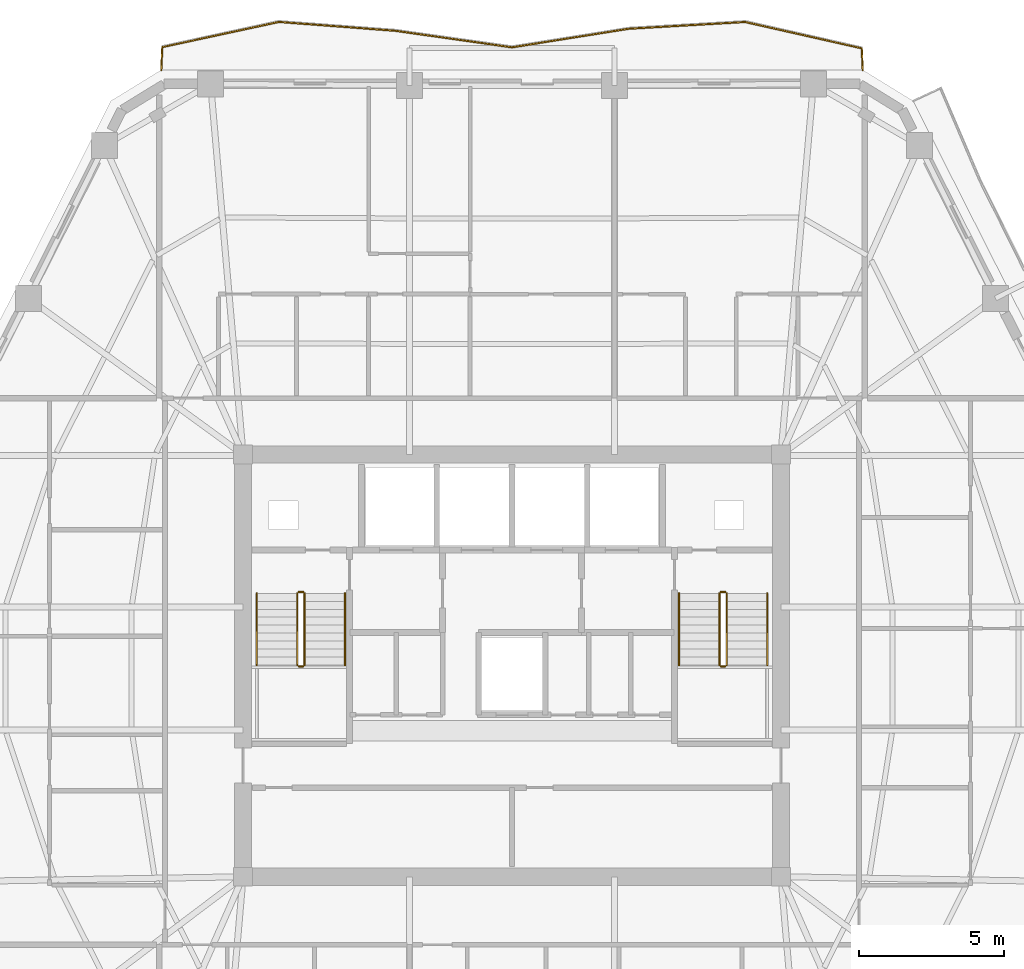
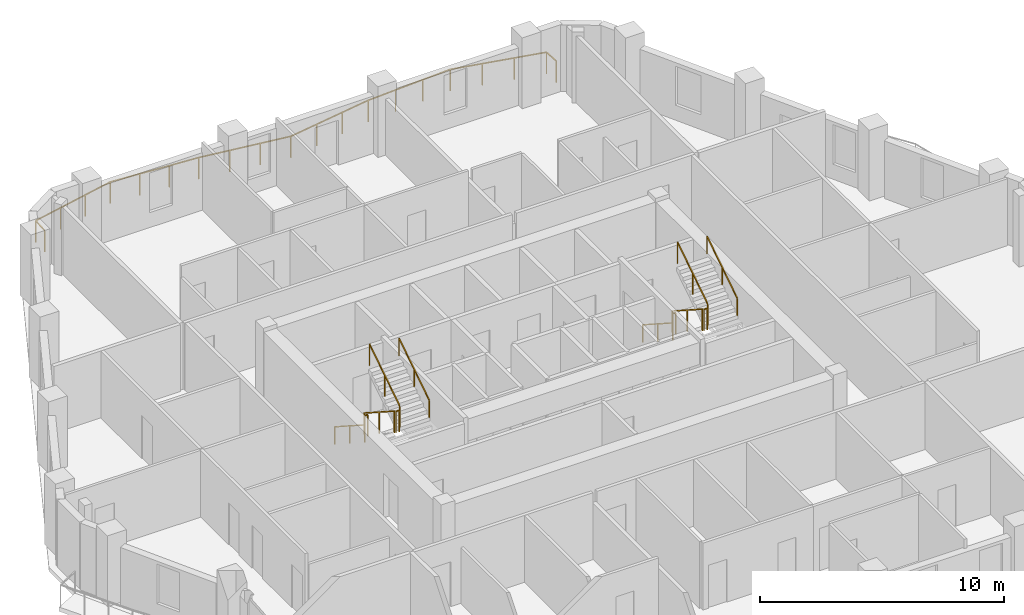
# One storey, part 10 of 11: 13 railings.
"""IFC4 building model written with IfcOpenShell, lengths in metres."""

from ifc_helpers import new_model, si_unit, direction, frame, origin, origin_2d, place, context, subcontext, project, spatial, rectangle, extrude, material, type_object, element, save


model = new_model("IFC4")

# Units and contexts
model_context = context("Model", 3, precision=1e-05, world=origin(), true_north=direction((0.0, 1.0)))
body_context = subcontext(model_context, "Body", "Model", "MODEL_VIEW")
ifc_project = project(units=[si_unit("LENGTHUNIT", "METRE"), si_unit("AREAUNIT", "SQUARE_METRE"), si_unit("VOLUMEUNIT", "CUBIC_METRE"), si_unit("PLANEANGLEUNIT", "RADIAN"), si_unit("MASSUNIT", "GRAM", prefix="KILO")], contexts=[model_context])

# Site, building, storey
site_placement = place(None, origin())
site = spatial("IfcSite", under=ifc_project, at=site_placement, CompositionType="ELEMENT")
building_placement = place(site_placement, origin())
building = spatial("IfcBuilding", under=site, at=building_placement, Name="Cinnabar Lancet Tower", CompositionType="ELEMENT")
storey_placement = place(building_placement, frame((0.0, 0.0, 179.0)))
storey = spatial("IfcBuildingStorey", under=building, at=storey_placement, Name="L47", CompositionType="ELEMENT", Elevation=179.0)

# Railings
ifc_material_1 = material(Name="Laminated safety glass and bronze stainless steel balustrade", Category="steel")
railing_type_1 = type_object("IfcRailingType", Name="ENV-RLG-BAL-1100", PredefinedType="BALUSTRADE", material=ifc_material_1)
railing_1_placement = place(storey_placement, frame((44.528076171875, 46.5, 0.0)))
element("IfcRailing", 1, at=railing_1_placement, inside=storey, type_object=railing_type_1, Name="L47 Face 4 Wave Balcony Balustrade", PredefinedType="BALUSTRADE", context=body_context, shape_type="SweptSolid", body=[
    extrude(rectangle(XDim=0.048095703125, YDim=0.048095703125, at=origin_2d()), frame((0.0, 0.0, 1.076171875), z_axis=(-0.045763521652, 0.998952301207, 0.0), x_axis=(-0.998952301207, -0.045763521652, 0.0)), (0.0, 0.0, 1.0), 0.746826171875),
    extrude(rectangle(XDim=0.048095703125, YDim=0.048095703125, at=origin_2d()), frame((-0.0341796875, 0.74609375, 1.076171875), z_axis=(-0.975378760391, 0.220536332106, 0.0), x_axis=(-0.220536332106, -0.975378760391, 0.0)), (0.0, 0.0, 1.0), 4.134765625),
    extrude(rectangle(XDim=0.048095703125, YDim=0.048095703125, at=origin_2d()), frame((-4.067138671875, 1.657958984375, 1.076171875), z_axis=(-0.998306951573, -0.05816554342, 0.0), x_axis=(0.05816554342, -0.998306951573, 0.0)), (0.0, 0.0, 1.0), 4.037841796875),
    extrude(rectangle(XDim=0.048095703125, YDim=0.048095703125, at=origin_2d()), frame((-8.09814453125, 1.423095703125, 1.076171875), z_axis=(-0.987544203997, -0.15734180993, 0.0), x_axis=(0.15734180993, -0.987544203997, 0.0)), (0.0, 0.0, 1.0), 4.080810546875),
    extrude(rectangle(XDim=0.048095703125, YDim=0.048095703125, at=origin_2d()), frame((-12.128173828125, 0.781005859375, 1.076171875), z_axis=(-0.990075064725, 0.140539553899, 0.0), x_axis=(-0.140539553899, -0.990075064725, 0.0)), (0.0, 0.0, 1.0), 4.070068359375),
    extrude(rectangle(XDim=0.048095703125, YDim=0.048095703125, at=origin_2d()), frame((-16.157958984375, 1.35302734375, 1.076171875), z_axis=(-0.997114567339, 0.07591139308, 0.0), x_axis=(-0.07591139308, -0.997114567339, 0.0)), (0.0, 0.0, 1.0), 4.042724609375),
    extrude(rectangle(XDim=0.048095703125, YDim=0.048095703125, at=origin_2d()), frame((-20.18896484375, 1.659912109375, 1.076171875), z_axis=(-0.977376166296, -0.211508462137, 0.0), x_axis=(0.211508462137, -0.977376166296, 0.0)), (0.0, 0.0, 1.0), 4.12646484375),
    extrude(rectangle(XDim=0.048095703125, YDim=0.048095703125, at=origin_2d()), frame((-24.22216796875, 0.787109375, 1.076171875), z_axis=(-0.043074128779, -0.999071879011, 0.0), x_axis=(0.999071879011, -0.043074128779, 0.0)), (0.0, 0.0, 1.0), 0.787841796875),
    extrude(rectangle(XDim=0.0419921875, YDim=0.0419921875, at=origin_2d()), origin(), (0.0, 0.0, 1.0), 1.052001953125),
    extrude(rectangle(XDim=0.0419921875, YDim=0.0419921875, at=origin_2d()), frame((-0.0341796875, 0.74609375, 0.0)), (0.0, 0.0, 1.0), 1.052001953125),
    extrude(rectangle(XDim=0.0419921875, YDim=0.0419921875, at=origin_2d()), frame((-1.37841796875, 1.050048828125, 0.0)), (0.0, 0.0, 1.0), 1.052001953125),
    extrude(rectangle(XDim=0.0419921875, YDim=0.0419921875, at=origin_2d()), frame((-2.722900390625, 1.35400390625, 0.0)), (0.0, 0.0, 1.0), 1.052001953125),
    extrude(rectangle(XDim=0.0419921875, YDim=0.0419921875, at=origin_2d()), frame((-4.067138671875, 1.657958984375, 0.0)), (0.0, 0.0, 1.0), 1.052001953125),
    extrude(rectangle(XDim=0.0419921875, YDim=0.0419921875, at=origin_2d()), frame((-5.410888671875, 1.57958984375, 0.0)), (0.0, 0.0, 1.0), 1.052001953125),
    extrude(rectangle(XDim=0.0419921875, YDim=0.0419921875, at=origin_2d()), frame((-6.75439453125, 1.50146484375, 0.0)), (0.0, 0.0, 1.0), 1.052001953125),
    extrude(rectangle(XDim=0.0419921875, YDim=0.0419921875, at=origin_2d()), frame((-8.09814453125, 1.423095703125, 0.0)), (0.0, 0.0, 1.0), 1.052001953125),
    extrude(rectangle(XDim=0.0419921875, YDim=0.0419921875, at=origin_2d()), frame((-9.44140625, 1.208984375, 0.0)), (0.0, 0.0, 1.0), 1.052001953125),
    extrude(rectangle(XDim=0.0419921875, YDim=0.0419921875, at=origin_2d()), frame((-10.784912109375, 0.9951171875, 0.0)), (0.0, 0.0, 1.0), 1.052001953125),
    extrude(rectangle(XDim=0.0419921875, YDim=0.0419921875, at=origin_2d()), frame((-12.128173828125, 0.781005859375, 0.0)), (0.0, 0.0, 1.0), 1.052001953125),
    extrude(rectangle(XDim=0.0419921875, YDim=0.0419921875, at=origin_2d()), frame((-13.471435546875, 0.9716796875, 0.0)), (0.0, 0.0, 1.0), 1.052001953125),
    extrude(rectangle(XDim=0.0419921875, YDim=0.0419921875, at=origin_2d()), frame((-14.814697265625, 1.162353515625, 0.0)), (0.0, 0.0, 1.0), 1.052001953125),
    extrude(rectangle(XDim=0.0419921875, YDim=0.0419921875, at=origin_2d()), frame((-16.157958984375, 1.35302734375, 0.0)), (0.0, 0.0, 1.0), 1.052001953125),
    extrude(rectangle(XDim=0.0419921875, YDim=0.0419921875, at=origin_2d()), frame((-17.501708984375, 1.455322265625, 0.0)), (0.0, 0.0, 1.0), 1.052001953125),
    extrude(rectangle(XDim=0.0419921875, YDim=0.0419921875, at=origin_2d()), frame((-18.84521484375, 1.5576171875, 0.0)), (0.0, 0.0, 1.0), 1.052001953125),
    extrude(rectangle(XDim=0.0419921875, YDim=0.0419921875, at=origin_2d()), frame((-20.18896484375, 1.659912109375, 0.0)), (0.0, 0.0, 1.0), 1.052001953125),
    extrude(rectangle(XDim=0.0419921875, YDim=0.0419921875, at=origin_2d()), frame((-21.533447265625, 1.368896484375, 0.0)), (0.0, 0.0, 1.0), 1.052001953125),
    extrude(rectangle(XDim=0.0419921875, YDim=0.0419921875, at=origin_2d()), frame((-22.877685546875, 1.078125, 0.0)), (0.0, 0.0, 1.0), 1.052001953125),
    extrude(rectangle(XDim=0.0419921875, YDim=0.0419921875, at=origin_2d()), frame((-24.22216796875, 0.787109375, 0.0)), (0.0, 0.0, 1.0), 1.052001953125),
    extrude(rectangle(XDim=0.0419921875, YDim=0.0419921875, at=origin_2d()), frame((-24.256103515625, 0.0, 0.0)), (0.0, 0.0, 1.0), 1.052001953125),
])
ifc_material_2 = material(Name="Painted galvanized steel balustrade", Category="steel")
railing_type_2 = type_object("IfcRailingType", Name="GUARD-STAIR", PredefinedType="GUARDRAIL", material=ifc_material_2)
railing_2_placement = place(storey_placement, frame((24.97509765625, 28.39990234375, 0.177490234375)))
element("IfcRailing", 2, at=railing_2_placement, inside=storey, type_object=railing_type_2, Name="L47 ST-1 stair guard 1", PredefinedType="GUARDRAIL", context=body_context, shape_type="SweptSolid", body=[
    extrude(rectangle(XDim=0.048095703125, YDim=0.048095703125, at=origin_2d()), frame((0.0, 0.0, 1.076171875), z_axis=(0.0, -0.840183358697, 0.542302428327), x_axis=(1.0, 0.0, 0.0)), (0.0, 0.0, 1.0), 2.945556640625),
    extrude(rectangle(XDim=0.0419921875, YDim=0.0419921875, at=origin_2d()), origin(), (0.0, 0.0, 1.0), 1.052001953125),
    extrude(rectangle(XDim=0.0419921875, YDim=0.0419921875, at=origin_2d()), frame((0.0, -1.2373046875, 0.798828125)), (0.0, 0.0, 1.0), 1.052001953125),
    extrude(rectangle(XDim=0.0419921875, YDim=0.0419921875, at=origin_2d()), frame((0.0, -2.474853515625, 1.597412109375)), (0.0, 0.0, 1.0), 1.052001953125),
])
railing_3_placement = place(storey_placement, frame((25.02490234375, 25.875, 1.77490234375)))
element("IfcRailing", 3, at=railing_3_placement, inside=storey, type_object=railing_type_2, Name="L47 ST-1 stair guard 2", PredefinedType="GUARDRAIL", context=body_context, shape_type="SweptSolid", body=[
    extrude(rectangle(XDim=0.048095703125, YDim=0.048095703125, at=origin_2d()), frame((0.0, 0.0, 1.076171875), z_axis=(1.0, 0.0, 0.0), x_axis=(0.0, 1.0, 0.0)), (0.0, 0.0, 1.0), 0.150146484375),
    extrude(rectangle(XDim=0.0419921875, YDim=0.0419921875, at=origin_2d()), origin(), (0.0, 0.0, 1.0), 1.052001953125),
    extrude(rectangle(XDim=0.0419921875, YDim=0.0419921875, at=origin_2d()), frame((0.150146484375, 0.0, 0.0)), (0.0, 0.0, 1.0), 1.052001953125),
])
railing_4_placement = place(storey_placement, frame((25.22509765625, 25.925048828125, 1.952392578125)))
element("IfcRailing", 4, at=railing_4_placement, inside=storey, type_object=railing_type_2, Name="L47 ST-1 stair guard 3", PredefinedType="GUARDRAIL", context=body_context, shape_type="SweptSolid", body=[
    extrude(rectangle(XDim=0.048095703125, YDim=0.048095703125, at=origin_2d()), frame((0.0, 0.0, 1.076171875), z_axis=(0.0, 0.84014559416, 0.542360932049), x_axis=(-1.0, 0.0, 0.0)), (0.0, 0.0, 1.0), 2.94580078125),
    extrude(rectangle(XDim=0.0419921875, YDim=0.0419921875, at=origin_2d()), origin(), (0.0, 0.0, 1.0), 1.052001953125),
    extrude(rectangle(XDim=0.0419921875, YDim=0.0419921875, at=origin_2d()), frame((0.0, 1.2373046875, 0.798828125)), (0.0, 0.0, 1.0), 1.052001953125),
    extrude(rectangle(XDim=0.0419921875, YDim=0.0419921875, at=origin_2d()), frame((0.0, 2.474853515625, 1.59765625)), (0.0, 0.0, 1.0), 1.052001953125),
])
railing_5_placement = place(storey_placement, frame((25.02490234375, 28.449951171875, 0.0)))
element("IfcRailing", 5, at=railing_5_placement, inside=storey, type_object=railing_type_2, Name="L47 ST-1 stair guard 4", PredefinedType="GUARDRAIL", context=body_context, shape_type="SweptSolid", body=[
    extrude(rectangle(XDim=0.048095703125, YDim=0.048095703125, at=origin_2d()), frame((0.0, 0.0, 1.076171875), z_axis=(1.0, 0.0, 0.0), x_axis=(0.0, 1.0, 0.0)), (0.0, 0.0, 1.0), 0.150146484375),
    extrude(rectangle(XDim=0.0419921875, YDim=0.0419921875, at=origin_2d()), origin(), (0.0, 0.0, 1.0), 1.052001953125),
    extrude(rectangle(XDim=0.0419921875, YDim=0.0419921875, at=origin_2d()), frame((0.150146484375, 0.0, 0.0)), (0.0, 0.0, 1.0), 1.052001953125),
])
railing_6_placement = place(storey_placement, frame((39.574951171875, 28.39990234375, 0.177490234375)))
element("IfcRailing", 6, at=railing_6_placement, inside=storey, type_object=railing_type_2, Name="L47 ST-2 stair guard 1", PredefinedType="GUARDRAIL", context=body_context, shape_type="SweptSolid", body=[
    extrude(rectangle(XDim=0.048095703125, YDim=0.048095703125, at=origin_2d()), frame((0.0, 0.0, 1.076171875), z_axis=(0.0, -0.840183358697, 0.542302428327), x_axis=(1.0, 0.0, 0.0)), (0.0, 0.0, 1.0), 2.945556640625),
    extrude(rectangle(XDim=0.0419921875, YDim=0.0419921875, at=origin_2d()), origin(), (0.0, 0.0, 1.0), 1.052001953125),
    extrude(rectangle(XDim=0.0419921875, YDim=0.0419921875, at=origin_2d()), frame((0.0, -1.2373046875, 0.798828125)), (0.0, 0.0, 1.0), 1.052001953125),
    extrude(rectangle(XDim=0.0419921875, YDim=0.0419921875, at=origin_2d()), frame((0.0, -2.474853515625, 1.597412109375)), (0.0, 0.0, 1.0), 1.052001953125),
])
railing_7_placement = place(storey_placement, frame((39.625, 25.875, 1.77490234375)))
element("IfcRailing", 7, at=railing_7_placement, inside=storey, type_object=railing_type_2, Name="L47 ST-2 stair guard 2", PredefinedType="GUARDRAIL", context=body_context, shape_type="SweptSolid", body=[
    extrude(rectangle(XDim=0.048095703125, YDim=0.048095703125, at=origin_2d()), frame((0.0, 0.0, 1.076171875), z_axis=(1.0, 0.0, 0.0), x_axis=(0.0, 1.0, 0.0)), (0.0, 0.0, 1.0), 0.14990234375),
    extrude(rectangle(XDim=0.0419921875, YDim=0.0419921875, at=origin_2d()), origin(), (0.0, 0.0, 1.0), 1.052001953125),
    extrude(rectangle(XDim=0.0419921875, YDim=0.0419921875, at=origin_2d()), frame((0.14990234375, 0.0, 0.0)), (0.0, 0.0, 1.0), 1.052001953125),
])
railing_8_placement = place(storey_placement, frame((39.824951171875, 25.925048828125, 1.952392578125)))
element("IfcRailing", 8, at=railing_8_placement, inside=storey, type_object=railing_type_2, Name="L47 ST-2 stair guard 3", PredefinedType="GUARDRAIL", context=body_context, shape_type="SweptSolid", body=[
    extrude(rectangle(XDim=0.048095703125, YDim=0.048095703125, at=origin_2d()), frame((0.0, 0.0, 1.076171875), z_axis=(0.0, 0.84014559416, 0.542360932049), x_axis=(-1.0, 0.0, 0.0)), (0.0, 0.0, 1.0), 2.94580078125),
    extrude(rectangle(XDim=0.0419921875, YDim=0.0419921875, at=origin_2d()), origin(), (0.0, 0.0, 1.0), 1.052001953125),
    extrude(rectangle(XDim=0.0419921875, YDim=0.0419921875, at=origin_2d()), frame((0.0, 1.2373046875, 0.798828125)), (0.0, 0.0, 1.0), 1.052001953125),
    extrude(rectangle(XDim=0.0419921875, YDim=0.0419921875, at=origin_2d()), frame((0.0, 2.474853515625, 1.59765625)), (0.0, 0.0, 1.0), 1.052001953125),
])
railing_9_placement = place(storey_placement, frame((39.625, 28.449951171875, 0.0)))
element("IfcRailing", 9, at=railing_9_placement, inside=storey, type_object=railing_type_2, Name="L47 ST-2 stair guard 4", PredefinedType="GUARDRAIL", context=body_context, shape_type="SweptSolid", body=[
    extrude(rectangle(XDim=0.048095703125, YDim=0.048095703125, at=origin_2d()), frame((0.0, 0.0, 1.076171875), z_axis=(1.0, 0.0, 0.0), x_axis=(0.0, 1.0, 0.0)), (0.0, 0.0, 1.0), 0.14990234375),
    extrude(rectangle(XDim=0.0419921875, YDim=0.0419921875, at=origin_2d()), origin(), (0.0, 0.0, 1.0), 1.052001953125),
    extrude(rectangle(XDim=0.0419921875, YDim=0.0419921875, at=origin_2d()), frame((0.14990234375, 0.0, 0.0)), (0.0, 0.0, 1.0), 1.052001953125),
])
ifc_material_3 = material(Name="Brushed stainless steel handrail", Category="steel")
railing_type_3 = type_object("IfcRailingType", Name="HANDRAIL-STAIR", PredefinedType="HANDRAIL", material=ifc_material_3)
railing_10_placement = place(storey_placement, frame((23.574951171875, 28.39990234375, 0.177490234375)))
element("IfcRailing", 10, at=railing_10_placement, inside=storey, type_object=railing_type_3, Name="L47 ST-1 stair handrail 1", PredefinedType="HANDRAIL", context=body_context, shape_type="SweptSolid", body=[
    extrude(rectangle(XDim=0.048095703125, YDim=0.048095703125, at=origin_2d()), frame((0.0, 0.0, 0.8759765625), z_axis=(0.0, -0.840183358697, 0.542302428327), x_axis=(1.0, 0.0, 0.0)), (0.0, 0.0, 1.0), 2.945556640625),
    extrude(rectangle(XDim=0.0419921875, YDim=0.0419921875, at=origin_2d()), origin(), (0.0, 0.0, 1.0), 0.851806640625),
    extrude(rectangle(XDim=0.0419921875, YDim=0.0419921875, at=origin_2d()), frame((0.0, -1.2373046875, 0.798828125)), (0.0, 0.0, 1.0), 0.851806640625),
    extrude(rectangle(XDim=0.0419921875, YDim=0.0419921875, at=origin_2d()), frame((0.0, -2.474853515625, 1.597412109375)), (0.0, 0.0, 1.0), 0.851806640625),
])
railing_11_placement = place(storey_placement, frame((26.625, 25.925048828125, 1.952392578125)))
element("IfcRailing", 11, at=railing_11_placement, inside=storey, type_object=railing_type_3, Name="L47 ST-1 stair handrail 2", PredefinedType="HANDRAIL", context=body_context, shape_type="SweptSolid", body=[
    extrude(rectangle(XDim=0.048095703125, YDim=0.048095703125, at=origin_2d()), frame((0.0, 0.0, 0.8759765625), z_axis=(0.0, 0.84014559416, 0.542360932049), x_axis=(-1.0, 0.0, 0.0)), (0.0, 0.0, 1.0), 2.94580078125),
    extrude(rectangle(XDim=0.0419921875, YDim=0.0419921875, at=origin_2d()), origin(), (0.0, 0.0, 1.0), 0.851806640625),
    extrude(rectangle(XDim=0.0419921875, YDim=0.0419921875, at=origin_2d()), frame((0.0, 1.2373046875, 0.798828125)), (0.0, 0.0, 1.0), 0.851806640625),
    extrude(rectangle(XDim=0.0419921875, YDim=0.0419921875, at=origin_2d()), frame((0.0, 2.474853515625, 1.59765625)), (0.0, 0.0, 1.0), 0.851806640625),
])
railing_12_placement = place(storey_placement, frame((38.175048828125, 28.39990234375, 0.177490234375)))
element("IfcRailing", 12, at=railing_12_placement, inside=storey, type_object=railing_type_3, Name="L47 ST-2 stair handrail 1", PredefinedType="HANDRAIL", context=body_context, shape_type="SweptSolid", body=[
    extrude(rectangle(XDim=0.048095703125, YDim=0.048095703125, at=origin_2d()), frame((0.0, 0.0, 0.8759765625), z_axis=(0.0, -0.840183358697, 0.542302428327), x_axis=(1.0, 0.0, 0.0)), (0.0, 0.0, 1.0), 2.945556640625),
    extrude(rectangle(XDim=0.0419921875, YDim=0.0419921875, at=origin_2d()), origin(), (0.0, 0.0, 1.0), 0.851806640625),
    extrude(rectangle(XDim=0.0419921875, YDim=0.0419921875, at=origin_2d()), frame((0.0, -1.2373046875, 0.798828125)), (0.0, 0.0, 1.0), 0.851806640625),
    extrude(rectangle(XDim=0.0419921875, YDim=0.0419921875, at=origin_2d()), frame((0.0, -2.474853515625, 1.597412109375)), (0.0, 0.0, 1.0), 0.851806640625),
])
railing_13_placement = place(storey_placement, frame((41.22509765625, 25.925048828125, 1.952392578125)))
element("IfcRailing", 13, at=railing_13_placement, inside=storey, type_object=railing_type_3, Name="L47 ST-2 stair handrail 2", PredefinedType="HANDRAIL", context=body_context, shape_type="SweptSolid", body=[
    extrude(rectangle(XDim=0.048095703125, YDim=0.048095703125, at=origin_2d()), frame((0.0, 0.0, 0.8759765625), z_axis=(0.0, 0.84014559416, 0.542360932049), x_axis=(-1.0, 0.0, 0.0)), (0.0, 0.0, 1.0), 2.94580078125),
    extrude(rectangle(XDim=0.0419921875, YDim=0.0419921875, at=origin_2d()), origin(), (0.0, 0.0, 1.0), 0.851806640625),
    extrude(rectangle(XDim=0.0419921875, YDim=0.0419921875, at=origin_2d()), frame((0.0, 1.2373046875, 0.798828125)), (0.0, 0.0, 1.0), 0.851806640625),
    extrude(rectangle(XDim=0.0419921875, YDim=0.0419921875, at=origin_2d()), frame((0.0, 2.474853515625, 1.59765625)), (0.0, 0.0, 1.0), 0.851806640625),
])

save(model, "model.ifc")
